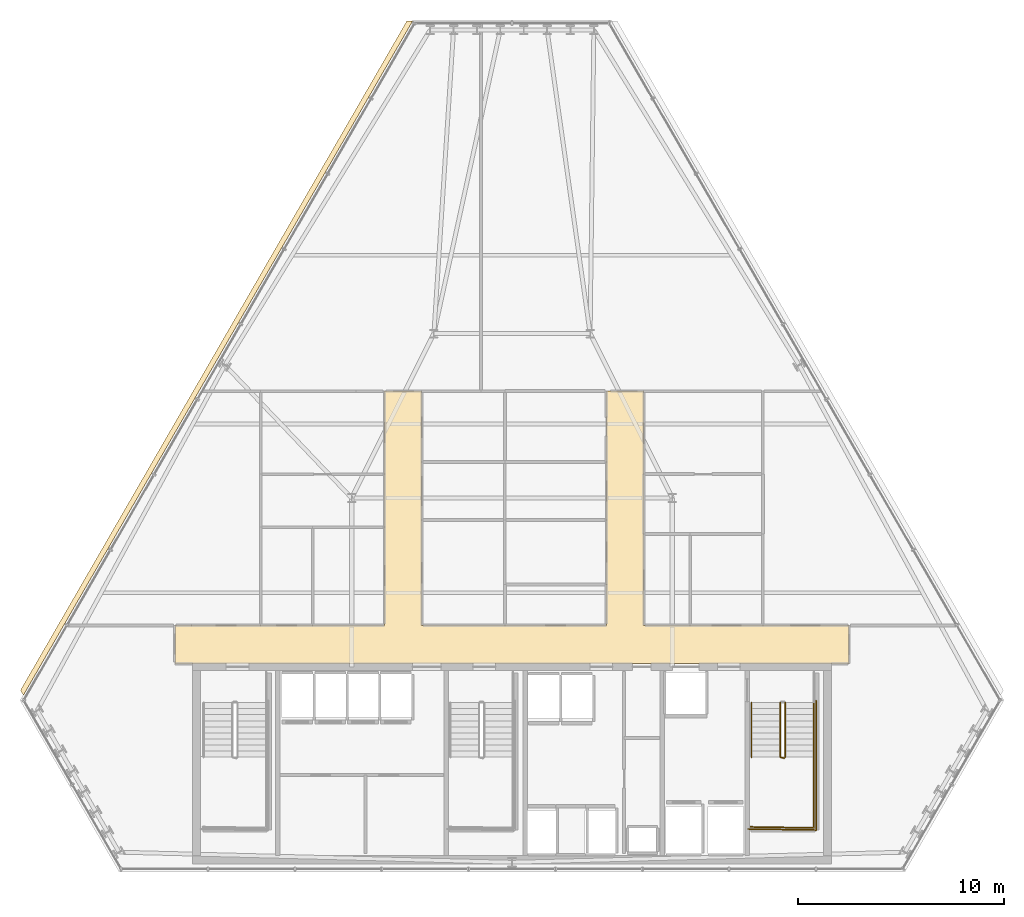
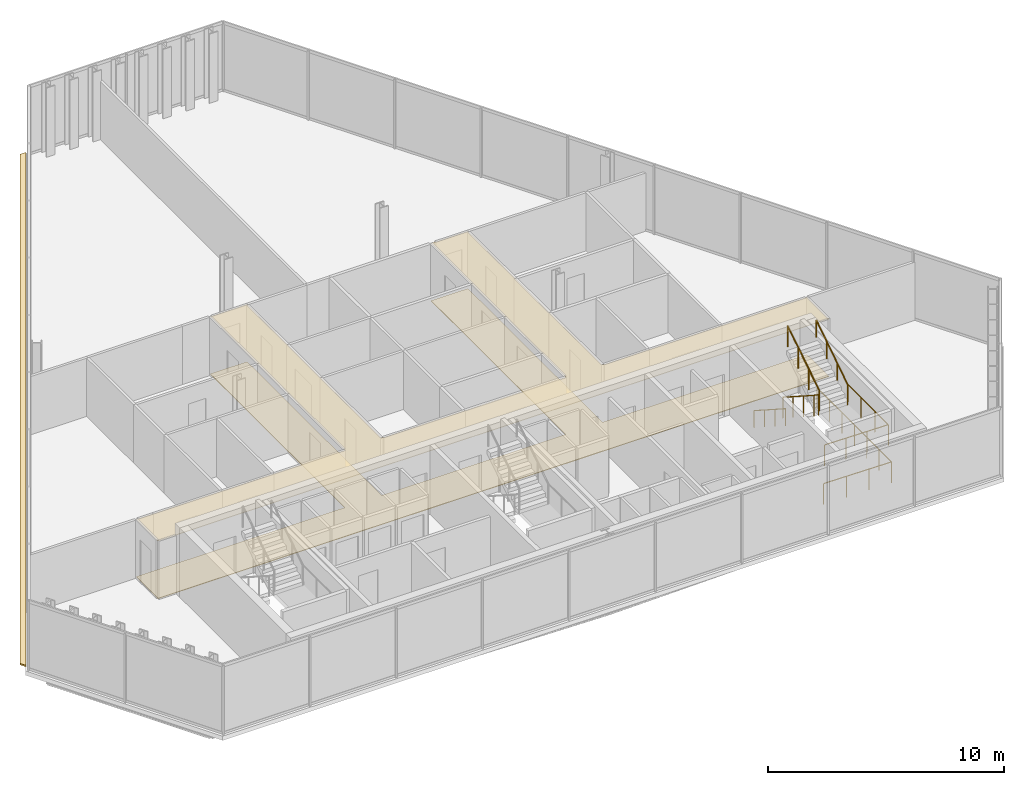
# One storey, part 32 of 33: 6 railings, 3 coverings.
"""IFC4 building model written with IfcOpenShell, lengths in metres."""

from ifc_helpers import new_model, si_unit, direction, frame, origin, origin_2d, place, context, subcontext, project, spatial, polyline, circle, outline, extrude, material, layer, layer_set, type_object, element, save


model = new_model("IFC4")

# Units and contexts
model_context = context("Model", 3, precision=1e-05, world=origin(), true_north=direction((0.0, 1.0)))
body_context = subcontext(model_context, "Body", "Model", "MODEL_VIEW")
ifc_project = project(units=[si_unit("LENGTHUNIT", "METRE"), si_unit("AREAUNIT", "SQUARE_METRE"), si_unit("VOLUMEUNIT", "CUBIC_METRE"), si_unit("PLANEANGLEUNIT", "RADIAN"), si_unit("MASSUNIT", "GRAM", prefix="KILO")], contexts=[model_context])

# Site, building, storey
site_placement = place(None, origin())
site = spatial("IfcSite", under=ifc_project, at=site_placement, CompositionType="ELEMENT")
building_placement = place(site_placement, origin())
building = spatial("IfcBuilding", under=site, at=building_placement, Name="Ndaravel Arena Tower", CompositionType="ELEMENT")
storey_placement = place(building_placement, frame((0.0, 0.0, 184.0)))
storey = spatial("IfcBuildingStorey", under=building, at=storey_placement, Name="L44", CompositionType="ELEMENT", Elevation=184.0)

# Coverings
ifc_material_1 = material(Name="Acoustic Ceiling Tile", Category="finish")
ifc_layer_1 = layer(ifc_material_1, 0.02490234375)
ifc_layer_set_1 = layer_set([ifc_layer_1], Name="Acoustic Ceiling Tile")
covering_type_1 = type_object("IfcCoveringType", Name="COV-CEIL-AC600", PredefinedType="CEILING", material=ifc_layer_set_1)
covering_1_placement = place(storey_placement, frame((0.0, 0.0, 2.98046875)))
element("IfcCovering", 1, at=covering_1_placement, inside=storey, type_object=covering_type_1, Name="L44 Corridor Acoustic Ceiling", PredefinedType="CEILING", context=body_context, shape_type="SweptSolid", body=[
    extrude(outline(polyline([(58.39990234375, 17.0), (48.39990234375, 17.0), (48.39990234375, 28.39990234375), (46.60009765625, 28.39990234375), (46.60009765625, 17.0), (37.60009765625, 17.0), (37.60009765625, 28.39990234375), (35.800048828125, 28.39990234375), (35.800048828125, 17.0), (25.60009765625, 17.0), (25.60009765625, 15.14990234375), (58.39990234375, 15.14990234375), (58.39990234375, 17.0)])), origin(), (0.0, 0.0, 1.0), 0.025146484375),
])
ifc_material_2 = material(Name="Terrazzo", Category="stone")
ifc_layer_2 = layer(ifc_material_2, 0.030029296875)
ifc_layer_set_2 = layer_set([ifc_layer_2], Name="Terrazzo")
covering_type_2 = type_object("IfcCoveringType", Name="COV-FLOOR-TERRAZZO", PredefinedType="FLOORING", material=ifc_layer_set_2)
covering_2_placement = place(storey_placement, origin())
element("IfcCovering", 2, at=covering_2_placement, inside=storey, type_object=covering_type_2, Name="L44 Corridor Terrazzo Flooring", PredefinedType="FLOORING", context=body_context, shape_type="SweptSolid", body=[
    extrude(outline(polyline([(58.39990234375, 17.0), (48.39990234375, 17.0), (48.39990234375, 28.39990234375), (46.60009765625, 28.39990234375), (46.60009765625, 17.0), (37.60009765625, 17.0), (37.60009765625, 28.39990234375), (35.800048828125, 28.39990234375), (35.800048828125, 17.0), (25.60009765625, 17.0), (25.60009765625, 15.14990234375), (58.39990234375, 15.14990234375), (58.39990234375, 17.0)])), origin(), (0.0, 0.0, 1.0), 0.030029296875),
])
ifc_material_3 = material(Name="Roofing Membrane", Category="finish")
ifc_layer_3 = layer(ifc_material_3, 0.080078125)
ifc_layer_set_3 = layer_set([ifc_layer_3], Name="Roofing Membrane")
covering_type_3 = type_object("IfcCoveringType", Name="COV-ROOF-MEMB", PredefinedType="ROOFING", material=ifc_layer_set_3)
covering_3_placement = place(storey_placement, origin())
element("IfcCovering", 3, at=covering_3_placement, inside=storey, type_object=covering_type_3, Name="L44 Facet Setback Weathering Flashing", PredefinedType="ROOFING", context=body_context, shape_type="SweptSolid", body=[
    extrude(outline(polyline([(18.093017578125, 13.852783203125), (36.888916015625, 46.408203125), (37.171142578125, 46.408203125), (18.234130859375, 13.6083984375), (18.093017578125, 13.852783203125)])), origin(), (0.0, 0.0, 1.0), 0.080078125),
])

# Railings
ifc_material_4 = material(Name="Steel S355", Category="steel")
ifc_layer_4 = layer(ifc_material_4, 0.06005859375)
ifc_layer_set_4 = layer_set([ifc_layer_4], Name="Steel S355")
railing_type_1 = type_object("IfcRailingType", Name="RAIL-STAIR-GD1100", PredefinedType="GUARDRAIL", material=ifc_layer_set_4)
railing_1_placement = place(storey_placement, frame((55.050048828125, 13.25, 0.18994140625)))
element("IfcRailing", 4, at=railing_1_placement, inside=storey, type_object=railing_type_1, Name="L44 ST-3 stair guard 1", PredefinedType="GUARDRAIL", context=body_context, shape_type="SweptSolid", body=[
    extrude(circle(Radius=0.02392578125, at=origin_2d()), frame((0.0, 0.0, 1.076171875), z_axis=(0.0, -0.840723540582, 0.54146461409), x_axis=(1.0, 0.0, 0.0)), (0.0, 0.0, 1.0), 3.157958984375),
    extrude(circle(Radius=0.02392578125, at=origin_2d()), frame((0.0, -2.655029296875, 2.7861328125), z_axis=(0.966993988697, -0.254799187253, 0.0), x_axis=(0.254799187253, 0.966993988697, 0.0)), (0.0, 0.0, 1.0), 0.196533203125),
    extrude(circle(Radius=0.02099609375, at=origin_2d()), origin(), (0.0, 0.0, 1.0), 1.052001953125),
    extrude(circle(Radius=0.02099609375, at=origin_2d()), frame((0.0, -0.885009765625, 0.570068359375)), (0.0, 0.0, 1.0), 1.052001953125),
    extrude(circle(Radius=0.02099609375, at=origin_2d()), frame((0.0, -1.77001953125, 1.139892578125)), (0.0, 0.0, 1.0), 1.052001953125),
    extrude(circle(Radius=0.02099609375, at=origin_2d()), frame((0.0, -2.655029296875, 1.7099609375)), (0.0, 0.0, 1.0), 1.052001953125),
    extrude(circle(Radius=0.02099609375, at=origin_2d()), frame((0.18994140625, -2.705078125, 1.7099609375)), (0.0, 0.0, 1.0), 1.052001953125),
])
railing_2_placement = place(storey_placement, frame((56.68994140625, 10.594970703125, 1.89990234375)))
element("IfcRailing", 5, at=railing_2_placement, inside=storey, type_object=railing_type_1, Name="L44 ST-3 stair guard 2", PredefinedType="GUARDRAIL", context=body_context, shape_type="SweptSolid", body=[
    extrude(circle(Radius=0.02392578125, at=origin_2d()), frame((0.0, 0.0, 1.076171875), z_axis=(0.0, -1.0, 0.0), x_axis=(1.0, 0.0, 0.0)), (0.0, 0.0, 1.0), 3.445068359375),
    extrude(circle(Radius=0.02392578125, at=origin_2d()), frame((0.0, -3.445068359375, 1.076171875), z_axis=(-0.999868840623, 0.016195726322, 0.0), x_axis=(-0.016195726322, -0.999868840623, 0.0)), (0.0, 0.0, 1.0), 3.09033203125),
    extrude(circle(Radius=0.02099609375, at=origin_2d()), origin(), (0.0, 0.0, 1.0), 1.052001953125),
    extrude(circle(Radius=0.02099609375, at=origin_2d()), frame((0.0, -1.1484375, 0.0)), (0.0, 0.0, 1.0), 1.052001953125),
    extrude(circle(Radius=0.02099609375, at=origin_2d()), frame((0.0, -2.296630859375, 0.0)), (0.0, 0.0, 1.0), 1.052001953125),
    extrude(circle(Radius=0.02099609375, at=origin_2d()), frame((0.0, -3.445068359375, 0.0)), (0.0, 0.0, 1.0), 1.052001953125),
    extrude(circle(Radius=0.02099609375, at=origin_2d()), frame((-1.030029296875, -3.428466796875, 0.0)), (0.0, 0.0, 1.0), 1.052001953125),
    extrude(circle(Radius=0.02099609375, at=origin_2d()), frame((-2.059814453125, -3.41162109375, 0.0)), (0.0, 0.0, 1.0), 1.052001953125),
    extrude(circle(Radius=0.02099609375, at=origin_2d()), frame((-3.08984375, -3.39501953125, 0.0)), (0.0, 0.0, 1.0), 1.052001953125),
])
railing_3_placement = place(storey_placement, frame((55.2900390625, 10.594970703125, 2.090087890625)))
element("IfcRailing", 6, at=railing_3_placement, inside=storey, type_object=railing_type_1, Name="L44 ST-3 stair guard 3", PredefinedType="GUARDRAIL", context=body_context, shape_type="SweptSolid", body=[
    extrude(circle(Radius=0.02392578125, at=origin_2d()), frame((0.0, 0.0, 1.076171875), z_axis=(0.0, 0.840723540582, 0.54146461409), x_axis=(-1.0, 0.0, 0.0)), (0.0, 0.0, 1.0), 3.157958984375),
    extrude(circle(Radius=0.02099609375, at=origin_2d()), origin(), (0.0, 0.0, 1.0), 1.052001953125),
    extrude(circle(Radius=0.02099609375, at=origin_2d()), frame((0.0, 0.885009765625, 0.570068359375)), (0.0, 0.0, 1.0), 1.052001953125),
    extrude(circle(Radius=0.02099609375, at=origin_2d()), frame((0.0, 1.77001953125, 1.139892578125)), (0.0, 0.0, 1.0), 1.052001953125),
    extrude(circle(Radius=0.02099609375, at=origin_2d()), frame((0.0, 2.655029296875, 1.7099609375)), (0.0, 0.0, 1.0), 1.052001953125),
])
railing_4_placement = place(storey_placement, frame((56.7900390625, 13.35009765625, 0.0)))
element("IfcRailing", 7, at=railing_4_placement, inside=storey, type_object=railing_type_1, Name="L44 ST-3 stair guard 6", PredefinedType="GUARDRAIL", context=body_context, shape_type="SweptSolid", body=[
    extrude(circle(Radius=0.02392578125, at=origin_2d()), frame((0.0, 0.0, 1.076171875), z_axis=(0.0, -1.0, 0.0), x_axis=(1.0, 0.0, 0.0)), (0.0, 0.0, 1.0), 6.300048828125),
    extrude(circle(Radius=0.02392578125, at=origin_2d()), frame((0.0, -6.300048828125, 1.076171875), z_axis=(-0.99988431412, 0.015210469308, 0.0), x_axis=(-0.015210469308, -0.99988431412, 0.0)), (0.0, 0.0, 1.0), 3.29052734375),
    extrude(circle(Radius=0.02099609375, at=origin_2d()), origin(), (0.0, 0.0, 1.0), 1.052001953125),
    extrude(circle(Radius=0.02099609375, at=origin_2d()), frame((0.0, -1.050048828125, 0.0)), (0.0, 0.0, 1.0), 1.052001953125),
    extrude(circle(Radius=0.02099609375, at=origin_2d()), frame((0.0, -2.10009765625, 0.0)), (0.0, 0.0, 1.0), 1.052001953125),
    extrude(circle(Radius=0.02099609375, at=origin_2d()), frame((0.0, -3.14990234375, 0.0)), (0.0, 0.0, 1.0), 1.052001953125),
    extrude(circle(Radius=0.02099609375, at=origin_2d()), frame((0.0, -4.199951171875, 0.0)), (0.0, 0.0, 1.0), 1.052001953125),
    extrude(circle(Radius=0.02099609375, at=origin_2d()), frame((0.0, -5.25, 0.0)), (0.0, 0.0, 1.0), 1.052001953125),
    extrude(circle(Radius=0.02099609375, at=origin_2d()), frame((0.0, -6.300048828125, 0.0)), (0.0, 0.0, 1.0), 1.052001953125),
    extrude(circle(Radius=0.02099609375, at=origin_2d()), frame((-1.0966796875, -6.283447265625, 0.0)), (0.0, 0.0, 1.0), 1.052001953125),
    extrude(circle(Radius=0.02099609375, at=origin_2d()), frame((-2.193359375, -6.2666015625, 0.0)), (0.0, 0.0, 1.0), 1.052001953125),
    extrude(circle(Radius=0.02099609375, at=origin_2d()), frame((-3.2900390625, -6.25, 0.0)), (0.0, 0.0, 1.0), 1.052001953125),
])
ifc_material_5 = material(Name="Steel S355", Category="steel")
ifc_layer_5 = layer(ifc_material_5, 0.050048828125)
ifc_layer_set_5 = layer_set([ifc_layer_5], Name="Steel S355")
railing_type_2 = type_object("IfcRailingType", Name="RAIL-STAIR-HR920", PredefinedType="HANDRAIL", material=ifc_layer_set_5)
railing_5_placement = place(storey_placement, frame((53.64990234375, 13.25, 0.18994140625)))
element("IfcRailing", 8, at=railing_5_placement, inside=storey, type_object=railing_type_2, Name="L44 ST-3 stair handrail 1", PredefinedType="HANDRAIL", context=body_context, shape_type="SweptSolid", body=[
    extrude(circle(Radius=0.02392578125, at=origin_2d()), frame((0.0, 0.0, 0.8759765625), z_axis=(0.0, -0.840723540582, 0.54146461409), x_axis=(1.0, 0.0, 0.0)), (0.0, 0.0, 1.0), 3.157958984375),
    extrude(circle(Radius=0.02099609375, at=origin_2d()), origin(), (0.0, 0.0, 1.0), 0.851806640625),
    extrude(circle(Radius=0.02099609375, at=origin_2d()), frame((0.0, -0.885009765625, 0.570068359375)), (0.0, 0.0, 1.0), 0.851806640625),
    extrude(circle(Radius=0.02099609375, at=origin_2d()), frame((0.0, -1.77001953125, 1.139892578125)), (0.0, 0.0, 1.0), 0.851806640625),
    extrude(circle(Radius=0.02099609375, at=origin_2d()), frame((0.0, -2.655029296875, 1.7099609375)), (0.0, 0.0, 1.0), 0.851806640625),
])
railing_6_placement = place(storey_placement, frame((56.68994140625, 10.594970703125, 2.090087890625)))
element("IfcRailing", 9, at=railing_6_placement, inside=storey, type_object=railing_type_2, Name="L44 ST-3 stair handrail 2", PredefinedType="HANDRAIL", context=body_context, shape_type="SweptSolid", body=[
    extrude(circle(Radius=0.02392578125, at=origin_2d()), frame((0.0, 0.0, 0.8759765625), z_axis=(0.0, 0.840723540582, 0.54146461409), x_axis=(-1.0, 0.0, 0.0)), (0.0, 0.0, 1.0), 3.157958984375),
    extrude(circle(Radius=0.02099609375, at=origin_2d()), origin(), (0.0, 0.0, 1.0), 0.851806640625),
    extrude(circle(Radius=0.02099609375, at=origin_2d()), frame((0.0, 0.885009765625, 0.570068359375)), (0.0, 0.0, 1.0), 0.851806640625),
    extrude(circle(Radius=0.02099609375, at=origin_2d()), frame((0.0, 1.77001953125, 1.139892578125)), (0.0, 0.0, 1.0), 0.851806640625),
    extrude(circle(Radius=0.02099609375, at=origin_2d()), frame((0.0, 2.655029296875, 1.7099609375)), (0.0, 0.0, 1.0), 0.851806640625),
])

save(model, "model.ifc")
